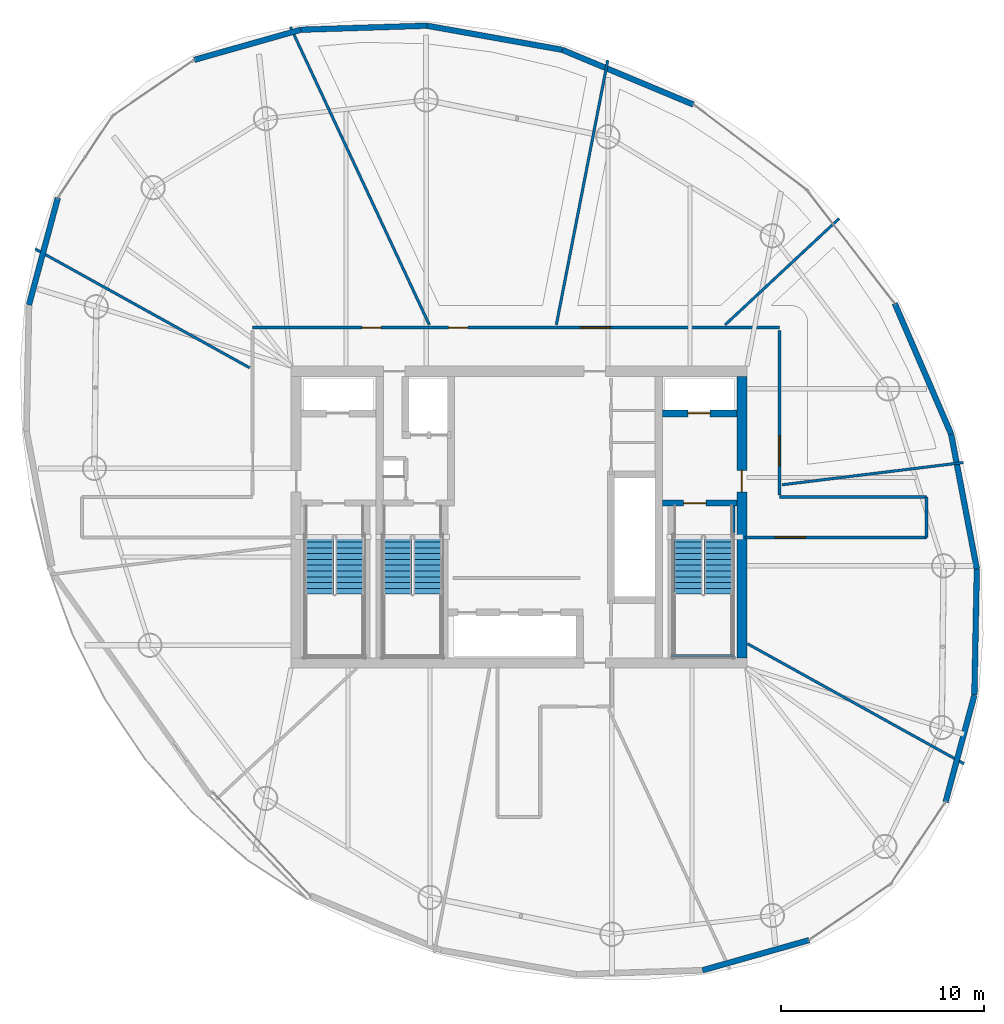
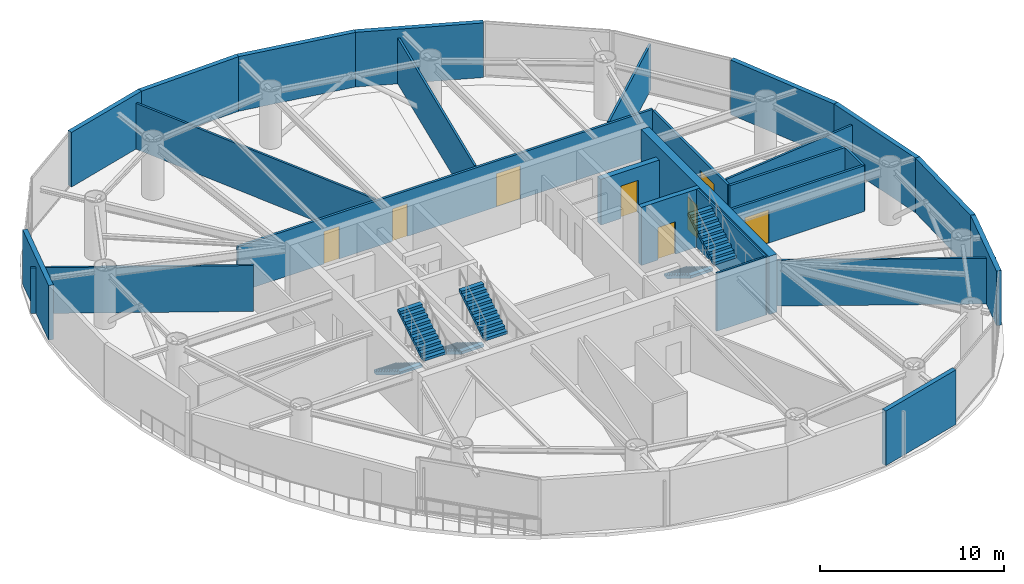
# One storey, part 13 of 16: 26 walls, 8 doors, 6 stair flights, 8 openings, 3 elements without a shape of their own.
"""IFC4 building model written with IfcOpenShell, lengths in metres."""

from ifc_helpers import new_model, si_unit, direction, frame, frame_2d, origin, place, context, subcontext, project, spatial, polyline, rectangle, outline, extrude, material, layer, layer_set, type_object, element, fill, aggregate, save


model = new_model("IFC4")

# Units and contexts
model_context = context("Model", 3, precision=1e-05, world=origin(), true_north=direction((0.0, 1.0)))
body_context = subcontext(model_context, "Body", "Model", "MODEL_VIEW")
ifc_project = project(units=[si_unit("LENGTHUNIT", "METRE"), si_unit("AREAUNIT", "SQUARE_METRE"), si_unit("VOLUMEUNIT", "CUBIC_METRE"), si_unit("PLANEANGLEUNIT", "RADIAN"), si_unit("MASSUNIT", "GRAM", prefix="KILO")], contexts=[model_context])

# Site, building, storey
site_placement = place(None, origin())
site = spatial("IfcSite", under=ifc_project, at=site_placement, CompositionType="ELEMENT")
building_placement = place(site_placement, origin())
building = spatial("IfcBuilding", under=site, at=building_placement, Name="Bramvorn Convention Spire", CompositionType="ELEMENT")
storey_placement = place(building_placement, frame((0.0, 0.0, 209.699951171875)))
storey = spatial("IfcBuildingStorey", under=building, at=storey_placement, Name="L53", CompositionType="ELEMENT", Elevation=209.699951171875)

# Wall, opening, door
ifc_material_1 = material(Name="Concrete C50/60", Category="concrete")
ifc_layer_1 = layer(ifc_material_1, 0.5)
ifc_layer_set_1 = layer_set([ifc_layer_1], Name="Concrete C50/60 - WL-CORE-500")
wall_type_1 = type_object("IfcWallType", Name="WL-CORE-500", PredefinedType="SHEAR", material=ifc_layer_set_1)
wall_1_placement = place(storey_placement, frame((49.0, 19.050048828125, 0.0), z_axis=(0.0, 0.0, 1.0), x_axis=(0.0, 1.0, 0.0)))
wall_1 = element("IfcWall", 1, at=wall_1_placement, inside=storey, type_object=wall_type_1, Name="L53 East RC core shear wall", PredefinedType="SHEAR", context=body_context, shape_type="SweptSolid", body=[
    extrude(rectangle(XDim=13.89990234375, YDim=0.5, at=frame_2d((6.949951171875, 0.0))), origin(), (0.0, 0.0, 1.0), 3.85009765625),
])
opening_1_placement = place(wall_1_placement, frame((8.199951171875, 0.0, 0.0)))
opening_1 = element("IfcOpeningElement", 2, at=opening_1_placement, cuts=wall_1, Name="Opening DL-105", PredefinedType="OPENING", context=body_context, shape_type="SweptSolid", body=[
    extrude(rectangle(XDim=1.050048828125, YDim=2.14990234375, at=frame_2d((0.52490234375, 1.074951171875))), frame((0.0, 0.260009765625, 0.0), z_axis=(0.0, -1.0, 0.0), x_axis=(1.0, 0.0, 0.0)), (0.0, 0.0, 1.0), 0.52001953125),
])
ifc_material_2 = material(Name="Smoke-Sealed Fire Lobby Timber-Core Door", Category="wood")
door_type_1 = type_object("IfcDoorType", Name="DR-LOBBY-1050", OperationType="NOTDEFINED", PredefinedType="DOOR", material=ifc_material_2)
door_1_placement = place(opening_1_placement, origin())
door_1 = element("IfcDoor", 3, at=door_1_placement, inside=storey, type_object=door_type_1, Name="L53 East Firefighting Lobby corridor door", OperationType="SINGLE_SWING_LEFT", OverallHeight=2.14990234375, OverallWidth=1.050048828125, PredefinedType="DOOR", context=body_context, shape_type="SweptSolid", body=[
    extrude(rectangle(XDim=1.050048828125, YDim=2.14990234375, at=frame_2d((0.52490234375, 1.074951171875))), frame((0.0, 0.02490234375, 0.0), z_axis=(0.0, -1.0, 0.0), x_axis=(1.0, 0.0, 0.0)), (0.0, 0.0, 1.0), 0.050048828125),
])
fill(opening_1, door_1)

ifc_layer_2 = layer(ifc_material_1, 0.35009765625)
ifc_layer_set_2 = layer_set([ifc_layer_2], Name="Concrete C50/60 - WL-CORE-INT-350")
wall_type_2 = type_object("IfcWallType", Name="WL-CORE-INT-350", PredefinedType="SHEAR", material=ifc_layer_set_2)
wall_2_placement = place(storey_placement, frame((45.080078125, 31.1201171875, 0.0), z_axis=(0.0, 0.0, 1.0), x_axis=(1.0, 0.0, 0.0)))
wall_2 = element("IfcWall", 4, at=wall_2_placement, inside=storey, type_object=wall_type_2, Name="L53 FE2 shaft front wall", PredefinedType="SHEAR", context=body_context, shape_type="SweptSolid", body=[
    extrude(rectangle(XDim=3.669921875, YDim=0.35009765625, at=frame_2d((1.8349609375, 0.0))), origin(), (0.0, 0.0, 1.0), 3.03515625),
])
opening_2_placement = place(wall_2_placement, frame((1.25, 0.0, 0.0)))
opening_2 = element("IfcOpeningElement", 5, at=opening_2_placement, cuts=wall_2, Name="Opening LD-110", PredefinedType="OPENING", context=body_context, shape_type="SweptSolid", body=[
    extrude(rectangle(XDim=1.10009765625, YDim=2.14990234375, at=frame_2d((0.550048828125, 1.074951171875))), frame((0.0, 0.18505859375, 0.0), z_axis=(0.0, -1.0, 0.0), x_axis=(1.0, 0.0, 0.0)), (0.0, 0.0, 1.0), 0.3701171875),
])
ifc_material_3 = material(Name="Firefighting & Service Lift Sliding Landing Door", Category="steel")
door_type_2 = type_object("IfcDoorType", Name="DR-LIFT-LD-1100", OperationType="NOTDEFINED", PredefinedType="DOOR", material=ifc_material_3)
door_2_placement = place(opening_2_placement, origin())
door_2 = element("IfcDoor", 6, at=door_2_placement, inside=storey, type_object=door_type_2, Name="L53 Lift FE2 Sliding Landing Door", OperationType="SLIDING_TO_LEFT", OverallHeight=2.14990234375, OverallWidth=1.10009765625, PredefinedType="DOOR", context=body_context, shape_type="SweptSolid", body=[
    extrude(rectangle(XDim=1.10009765625, YDim=2.14990234375, at=frame_2d((0.550048828125, 1.074951171875))), frame((0.0, 0.02490234375, 0.0), z_axis=(0.0, -1.0, 0.0), x_axis=(1.0, 0.0, 0.0)), (0.0, 0.0, 1.0), 0.050048828125),
])
fill(opening_2, door_2)

# Walls
ifc_material_4 = material(Name="Precast Concrete C40/50 with Bronze Terracotta Rainscreen", Category="masonry")
ifc_layer_3 = layer(ifc_material_4, 0.300048828125)
ifc_layer_set_3 = layer_set([ifc_layer_3], Name="Precast Concrete C40/50 with Bronze Terracotta Rainscreen - WL-EXT-BRONZE-300")
wall_type_3 = type_object("IfcWallType", Name="WL-EXT-BRONZE-300", PredefinedType="SOLIDWALL", material=ifc_layer_set_3)
wall_3_placement = place(storey_placement, frame((60.474853515625, 17.211181640625, 0.0), z_axis=(0.0, 0.0, 1.0), x_axis=(-0.260428483044, -0.965493140949, 0.0)))
element("IfcWall", 7, at=wall_3_placement, inside=storey, type_object=wall_type_3, Name="L53 expressed bronze Gothic lancet pier wall 02", PredefinedType="SOLIDWALL", context=body_context, shape_type="SweptSolid", body=[
    extrude(rectangle(XDim=5.46435546875, YDim=0.280029296875, at=frame_2d((2.732177734375, 0.0))), origin(), (0.0, 0.0, 1.0), 3.6201171875),
])
wall_4_placement = place(storey_placement, frame((60.59765625, 23.4365234375, 0.0), z_axis=(0.0, 0.0, 1.0), x_axis=(-0.019722426899, -0.999805494022, 0.0)))
element("IfcWall", 8, at=wall_4_placement, inside=storey, type_object=wall_type_3, Name="L53 expressed bronze Gothic lancet pier wall 03", PredefinedType="SOLIDWALL", context=body_context, shape_type="SweptSolid", body=[
    extrude(rectangle(XDim=6.2265625, YDim=0.280029296875, at=frame_2d((3.11328125, 0.0))), origin(), (0.0, 0.0, 1.0), 3.6201171875),
])
wall_5_placement = place(storey_placement, frame((59.32666015625, 30.100830078125, 0.0), z_axis=(0.0, 0.0, 1.0), x_axis=(0.187340299472, -0.982295073893, 0.0)))
element("IfcWall", 9, at=wall_5_placement, inside=storey, type_object=wall_type_3, Name="L53 expressed bronze Gothic lancet pier wall 04", PredefinedType="SOLIDWALL", context=body_context, shape_type="SweptSolid", body=[
    extrude(rectangle(XDim=6.784423828125, YDim=0.280029296875, at=frame_2d((3.39208984375, 0.0))), origin(), (0.0, 0.0, 1.0), 3.6201171875),
])
for number, where, z_axis, x_axis, name in (
    (10, (56.544189453125, 36.543212890625, 0.0), (0.0, 0.0, 1.0), (0.396499991111, -0.918034725405, 0.0), "L53 expressed bronze Gothic lancet pier wall 05"),
    (11, (40.1328125, 49.061767578125, 0.0), (0.0, 0.0, 1.0), (0.922805990823, -0.385264978035, 0.0), "L53 expressed bronze Gothic lancet pier wall 08"),
):
    element("IfcWall", number, at=place(storey_placement, frame(where, z_axis=z_axis, x_axis=x_axis)), inside=storey, type_object=wall_type_3, Name=name, PredefinedType="SOLIDWALL", context=body_context, shape_type="SweptSolid", body=[
        extrude(rectangle(XDim=7.017578125, YDim=0.280029296875, at=frame_2d((3.5087890625, 0.0))), origin(), (0.0, 0.0, 1.0), 3.6201171875),
    ])
wall_6_placement = place(storey_placement, frame((33.453125, 50.251220703125, 0.0), z_axis=(0.0, 0.0, 1.0), x_axis=(0.98451285937, -0.175312377589, 0.0)))
element("IfcWall", 12, at=wall_6_placement, inside=storey, type_object=wall_type_3, Name="L53 expressed bronze Gothic lancet pier wall 09", PredefinedType="SOLIDWALL", context=body_context, shape_type="SweptSolid", body=[
    extrude(rectangle(XDim=6.78466796875, YDim=0.280029296875, at=frame_2d((3.392333984375, 0.0))), origin(), (0.0, 0.0, 1.0), 3.6201171875),
])
wall_7_placement = place(storey_placement, frame((27.22998046875, 50.052490234375, 0.0), z_axis=(0.0, 0.0, 1.0), x_axis=(0.999490496546, 0.031917821271, 0.0)))
element("IfcWall", 13, at=wall_7_placement, inside=storey, type_object=wall_type_3, Name="L53 expressed bronze Gothic lancet pier wall 10", PredefinedType="SOLIDWALL", context=body_context, shape_type="SweptSolid", body=[
    extrude(rectangle(XDim=6.226318359375, YDim=0.280029296875, at=frame_2d((3.11328125, 0.0))), origin(), (0.0, 0.0, 1.0), 3.6201171875),
])
wall_8_placement = place(storey_placement, frame((21.971923828125, 48.56494140625, 0.0), z_axis=(0.0, 0.0, 1.0), x_axis=(0.962233872623, 0.272224125268, 0.0)))
element("IfcWall", 14, at=wall_8_placement, inside=storey, type_object=wall_type_3, Name="L53 expressed bronze Gothic lancet pier wall 11", PredefinedType="SOLIDWALL", context=body_context, shape_type="SweptSolid", body=[
    extrude(rectangle(XDim=5.46435546875, YDim=0.280029296875, at=frame_2d((2.732177734375, 0.0))), origin(), (0.0, 0.0, 1.0), 3.6201171875),
])
for number, where, z_axis, x_axis, name in (
    (15, (13.817626953125, 36.475341796875, 0.0), (0.0, 0.0, 1.0), (0.260470130189, 0.965481906241, 0.0), "L53 expressed bronze Gothic lancet pier wall 14"),
    (16, (52.32080078125, 5.12158203125, 0.0), (0.0, 0.0, 1.0), (-0.962248884764, -0.272171056086, 0.0), "L53 expressed bronze Gothic lancet pier wall 23"),
):
    element("IfcWall", number, at=place(storey_placement, frame(where, z_axis=z_axis, x_axis=x_axis)), inside=storey, type_object=wall_type_3, Name=name, PredefinedType="SOLIDWALL", context=body_context, shape_type="SweptSolid", body=[
        extrude(rectangle(XDim=5.464599609375, YDim=0.280029296875, at=frame_2d((2.732421875, 0.0))), origin(), (0.0, 0.0, 1.0), 3.6201171875),
    ])
ifc_material_5 = material(Name="Metal-Stud Demountable Office Partition", Category="gypsum")
ifc_layer_4 = layer(ifc_material_5, 0.1298828125)
ifc_layer_set_4 = layer_set([ifc_layer_4], Name="Metal-Stud Demountable Office Partition - WL-PART-130")
wall_type_4 = type_object("IfcWallType", Name="WL-PART-130", PredefinedType="PARTITIONING", material=ifc_layer_set_4)
wall_9_placement = place(storey_placement, frame((50.989990234375, 27.594970703125, 0.0), z_axis=(0.0, 0.0, 1.0), x_axis=(0.992545238003, 0.121876784159, 0.0)))
element("IfcWall", 17, at=wall_9_placement, inside=storey, type_object=wall_type_4, Name="L53 Tenant suite partition 1", PredefinedType="PARTITIONING", context=body_context, shape_type="SweptSolid", body=[
    extrude(rectangle(XDim=9.01025390625, YDim=0.1298828125, at=frame_2d((4.505126953125, 0.0))), origin(), (0.0, 0.0, 1.0), 3.03515625),
])
wall_10_placement = place(storey_placement, frame((48.1767578125, 35.489990234375, 0.0), z_axis=(0.0, 0.0, 1.0), x_axis=(0.731351379183, 0.682000850562, 0.0)))
element("IfcWall", 18, at=wall_10_placement, inside=storey, type_object=wall_type_4, Name="L53 Tenant suite partition 2", PredefinedType="PARTITIONING", context=body_context, shape_type="SweptSolid", body=[
    extrude(rectangle(XDim=7.70263671875, YDim=0.1298828125, at=frame_2d((3.851318359375, 0.0))), origin(), (0.0, 0.0, 1.0), 3.03515625),
])
wall_11_placement = place(storey_placement, frame((39.8447265625, 35.489990234375, 0.0), z_axis=(0.0, 0.0, 1.0), x_axis=(0.190812682299, 0.981626466775, 0.0)))
element("IfcWall", 19, at=wall_11_placement, inside=storey, type_object=wall_type_4, Name="L53 Tenant suite partition 3", PredefinedType="PARTITIONING", context=body_context, shape_type="SweptSolid", body=[
    extrude(rectangle(XDim=13.303955078125, YDim=0.1298828125, at=frame_2d((6.65185546875, 0.0))), origin(), (0.0, 0.0, 1.0), 3.03515625),
])
wall_12_placement = place(storey_placement, frame((33.57470703125, 35.489990234375, 0.0), z_axis=(0.0, 0.0, 1.0), x_axis=(-0.422617745277, 0.906308027868, 0.0)))
element("IfcWall", 20, at=wall_12_placement, inside=storey, type_object=wall_type_4, Name="L53 Tenant suite partition 4", PredefinedType="PARTITIONING", context=body_context, shape_type="SweptSolid", body=[
    extrude(rectangle(XDim=16.22607421875, YDim=0.1298828125, at=frame_2d((8.113037109375, 0.0))), origin(), (0.0, 0.0, 1.0), 3.03515625),
])
wall_13_placement = place(storey_placement, frame((24.7099609375, 33.36669921875, 0.0), z_axis=(0.0, 0.0, 1.0), x_axis=(-0.874611459902, 0.484824498357, 0.0)))
element("IfcWall", 21, at=wall_13_placement, inside=storey, type_object=wall_type_4, Name="L53 Tenant suite partition 5", PredefinedType="PARTITIONING", context=body_context, shape_type="SweptSolid", body=[
    extrude(rectangle(XDim=12.109619140625, YDim=0.1298828125, at=frame_2d((6.0546875, 0.0))), origin(), (0.0, 0.0, 1.0), 3.03515625),
])
wall_14_placement = place(storey_placement, frame((49.27001953125, 19.7529296875, 0.0), z_axis=(0.0, 0.0, 1.0), x_axis=(0.874615259577, -0.484817643775, 0.0)))
element("IfcWall", 22, at=wall_14_placement, inside=storey, type_object=wall_type_4, Name="L53 Tenant suite partition 10", PredefinedType="PARTITIONING", context=body_context, shape_type="SweptSolid", body=[
    extrude(rectangle(XDim=12.2353515625, YDim=0.1298828125, at=frame_2d((6.11767578125, 0.0))), origin(), (0.0, 0.0, 1.0), 3.03515625),
])

# Wall, openings, doors
ifc_material_6 = material(Name="Acoustic Metal-Stud Tenant/Corridor Partition", Category="gypsum")
ifc_layer_5 = layer(ifc_material_6, 0.14990234375)
ifc_layer_set_5 = layer_set([ifc_layer_5], Name="Acoustic Metal-Stud Tenant/Corridor Partition - WL-PART-150")
wall_type_5 = type_object("IfcWallType", Name="WL-PART-150", PredefinedType="PARTITIONING", material=ifc_layer_set_5)
wall_15_placement = place(storey_placement, frame((24.85009765625, 35.35009765625, 0.0), z_axis=(0.0, 0.0, 1.0), x_axis=(1.0, 0.0, 0.0)))
wall_15 = element("IfcWall", 23, at=wall_15_placement, inside=storey, type_object=wall_type_5, Name="L53 North gallery wall", PredefinedType="PARTITIONING", context=body_context, shape_type="SweptSolid", body=[
    extrude(rectangle(XDim=26.0, YDim=0.14990234375, at=frame_2d((13.0, 0.0))), origin(), (0.0, 0.0, 1.0), 3.03515625),
])
opening_3_placement = place(wall_15_placement, frame((16.18212890625, 0.0, 0.0)))
opening_3 = element("IfcOpeningElement", 24, at=opening_3_placement, cuts=wall_15, Name="Opening DC-150", PredefinedType="OPENING", context=body_context, shape_type="SweptSolid", body=[
    extrude(rectangle(XDim=1.5, YDim=2.199951171875, at=frame_2d((0.75, 1.10009765625))), frame((0.0, 0.0849609375, 0.0), z_axis=(0.0, -1.0, 0.0), x_axis=(1.0, 0.0, 0.0)), (0.0, 0.0, 1.0), 0.169921875),
])
opening_4_placement = place(wall_15_placement, frame((9.674560546875, 0.0, 0.0)))
opening_4 = element("IfcOpeningElement", 25, at=opening_4_placement, cuts=wall_15, Name="Opening DH-095", PredefinedType="OPENING", context=body_context, shape_type="SweptSolid", body=[
    extrude(rectangle(XDim=0.949951171875, YDim=2.14990234375, at=frame_2d((0.47509765625, 1.074951171875))), frame((0.0, 0.0849609375, 0.0), z_axis=(0.0, -1.0, 0.0), x_axis=(1.0, 0.0, 0.0)), (0.0, 0.0, 1.0), 0.169921875),
])
opening_5_placement = place(wall_15_placement, frame((5.394775390625, 0.0, 0.0)))
opening_5 = element("IfcOpeningElement", 26, at=opening_5_placement, cuts=wall_15, Name="Opening DH-095", PredefinedType="OPENING", context=body_context, shape_type="SweptSolid", body=[
    extrude(rectangle(XDim=0.949951171875, YDim=2.14990234375, at=frame_2d((0.47509765625, 1.074951171875))), frame((0.0, 0.0849609375, 0.0), z_axis=(0.0, -1.0, 0.0), x_axis=(1.0, 0.0, 0.0)), (0.0, 0.0, 1.0), 0.169921875),
])
ifc_material_7 = material(Name="Double-Leaf Smoke-Control Corridor Door", Category="wood")
door_type_3 = type_object("IfcDoorType", Name="DR-COR-1500", OperationType="NOTDEFINED", PredefinedType="DOOR", material=ifc_material_7)
door_3_placement = place(opening_3_placement, origin())
door_3 = element("IfcDoor", 27, at=door_3_placement, inside=storey, type_object=door_type_3, Name="L53 Design Office Studio B 2 door", OperationType="DOUBLE_DOOR_SINGLE_SWING", OverallHeight=2.199951171875, OverallWidth=1.5, PredefinedType="DOOR", context=body_context, shape_type="SweptSolid", body=[
    extrude(rectangle(XDim=1.5, YDim=2.199951171875, at=frame_2d((0.75, 1.10009765625))), frame((0.0, 0.02490234375, 0.0), z_axis=(0.0, -1.0, 0.0), x_axis=(1.0, 0.0, 0.0)), (0.0, 0.0, 1.0), 0.050048828125),
])
fill(opening_3, door_3)
ifc_material_8 = material(Name="Solid-Core Acoustic Guestroom Entry Door", Category="wood")
door_type_4 = type_object("IfcDoorType", Name="DR-HOTEL-950", OperationType="NOTDEFINED", PredefinedType="DOOR", material=ifc_material_8)
door_4_placement = place(opening_4_placement, origin())
door_4 = element("IfcDoor", 28, at=door_4_placement, inside=storey, type_object=door_type_4, Name="L53 Client Meeting Pin-Up Room 1 3 door", OperationType="SINGLE_SWING_LEFT", OverallHeight=2.14990234375, OverallWidth=0.949951171875, PredefinedType="DOOR", context=body_context, shape_type="SweptSolid", body=[
    extrude(rectangle(XDim=0.949951171875, YDim=2.14990234375, at=frame_2d((0.47509765625, 1.074951171875))), frame((0.0, 0.02490234375, 0.0), z_axis=(0.0, -1.0, 0.0), x_axis=(1.0, 0.0, 0.0)), (0.0, 0.0, 1.0), 0.050048828125),
])
fill(opening_4, door_4)
door_5_placement = place(opening_5_placement, origin())
door_5 = element("IfcDoor", 29, at=door_5_placement, inside=storey, type_object=door_type_4, Name="L53 Client Meeting Pin-Up Room 2 4 door", OperationType="SINGLE_SWING_LEFT", OverallHeight=2.14990234375, OverallWidth=0.949951171875, PredefinedType="DOOR", context=body_context, shape_type="SweptSolid", body=[
    extrude(rectangle(XDim=0.949951171875, YDim=2.14990234375, at=frame_2d((0.47509765625, 1.074951171875))), frame((0.0, 0.02490234375, 0.0), z_axis=(0.0, -1.0, 0.0), x_axis=(1.0, 0.0, 0.0)), (0.0, 0.0, 1.0), 0.050048828125),
])
fill(opening_5, door_5)

# Wall, opening, door
wall_16_placement = place(storey_placement, frame((50.85009765625, 27.080078125, 0.0), z_axis=(0.0, 0.0, 1.0), x_axis=(0.0, 1.0, 0.0)))
wall_16 = element("IfcWall", 30, at=wall_16_placement, inside=storey, type_object=wall_type_5, Name="L53 NE gallery cheek", PredefinedType="PARTITIONING", context=body_context, shape_type="SweptSolid", body=[
    extrude(rectangle(XDim=8.119873046875, YDim=0.14990234375, at=frame_2d((4.06005859375, 0.0))), origin(), (0.0, 0.0, 1.0), 3.03515625),
])
opening_6_placement = place(wall_16_placement, frame((1.44189453125, 0.0, 0.0)))
opening_6 = element("IfcOpeningElement", 31, at=opening_6_placement, cuts=wall_16, Name="Opening DC-150", PredefinedType="OPENING", context=body_context, shape_type="SweptSolid", body=[
    extrude(rectangle(XDim=1.5, YDim=2.199951171875, at=frame_2d((0.75, 1.10009765625))), frame((0.0, 0.0849609375, 0.0), z_axis=(0.0, -1.0, 0.0), x_axis=(1.0, 0.0, 0.0)), (0.0, 0.0, 1.0), 0.169921875),
])
door_6_placement = place(opening_6_placement, origin())
door_6 = element("IfcDoor", 32, at=door_6_placement, inside=storey, type_object=door_type_3, Name="L53 Design Office Studio A 1 door", OperationType="DOUBLE_DOOR_SINGLE_SWING", OverallHeight=2.199951171875, OverallWidth=1.5, PredefinedType="DOOR", context=body_context, shape_type="SweptSolid", body=[
    extrude(rectangle(XDim=1.5, YDim=2.199951171875, at=frame_2d((0.75, 1.10009765625))), frame((0.0, 0.02490234375, 0.0), z_axis=(0.0, -1.0, 0.0), x_axis=(1.0, 0.0, 0.0)), (0.0, 0.0, 1.0), 0.050048828125),
])
fill(opening_6, door_6)

# Wall
wall_17_placement = place(storey_placement, frame((50.85009765625, 27.0, 0.0), z_axis=(0.0, 0.0, 1.0), x_axis=(1.0, 0.0, 0.0)))
element("IfcWall", 33, at=wall_17_placement, inside=storey, type_object=wall_type_5, Name="L53 East wing spine north wall", PredefinedType="PARTITIONING", context=body_context, shape_type="SweptSolid", body=[
    extrude(rectangle(XDim=7.27294921875, YDim=0.14990234375, at=frame_2d((3.636474609375, 0.0))), origin(), (0.0, 0.0, 1.0), 3.03515625),
])

# Wall, opening, door
wall_18_placement = place(storey_placement, frame((49.14990234375, 25.0, 0.0), z_axis=(0.0, 0.0, 1.0), x_axis=(1.0, 0.0, 0.0)))
wall_18 = element("IfcWall", 34, at=wall_18_placement, inside=storey, type_object=wall_type_5, Name="L53 East wing spine south wall", PredefinedType="PARTITIONING", context=body_context, shape_type="SweptSolid", body=[
    extrude(rectangle(XDim=8.97314453125, YDim=0.14990234375, at=frame_2d((4.486572265625, 0.0))), origin(), (0.0, 0.0, 1.0), 3.03515625),
])
opening_7_placement = place(wall_18_placement, frame((1.4931640625, 0.0, 0.0)))
opening_7 = element("IfcOpeningElement", 35, at=opening_7_placement, cuts=wall_18, Name="Opening DC-150", PredefinedType="OPENING", context=body_context, shape_type="SweptSolid", body=[
    extrude(rectangle(XDim=1.5, YDim=2.199951171875, at=frame_2d((0.75, 1.10009765625))), frame((0.0, 0.0849609375, 0.0), z_axis=(0.0, -1.0, 0.0), x_axis=(1.0, 0.0, 0.0)), (0.0, 0.0, 1.0), 0.169921875),
])
door_7_placement = place(opening_7_placement, origin())
door_7 = element("IfcDoor", 36, at=door_7_placement, inside=storey, type_object=door_type_3, Name="L53 Design Office Studio B 10 door", OperationType="DOUBLE_DOOR_SINGLE_SWING", OverallHeight=2.199951171875, OverallWidth=1.5, PredefinedType="DOOR", context=body_context, shape_type="SweptSolid", body=[
    extrude(rectangle(XDim=1.5, YDim=2.199951171875, at=frame_2d((0.75, 1.10009765625))), frame((0.0, 0.02490234375, 0.0), z_axis=(0.0, -1.0, 0.0), x_axis=(1.0, 0.0, 0.0)), (0.0, 0.0, 1.0), 0.050048828125),
])
fill(opening_7, door_7)

# Wall
wall_19_placement = place(storey_placement, frame((58.123046875, 25.0, 0.0), z_axis=(0.0, 0.0, 1.0), x_axis=(0.0, 1.0, 0.0)))
element("IfcWall", 37, at=wall_19_placement, inside=storey, type_object=wall_type_5, Name="L53 East wing spine end wall", PredefinedType="PARTITIONING", context=body_context, shape_type="SweptSolid", body=[
    extrude(rectangle(XDim=2.0, YDim=0.14990234375, at=frame_2d((1.0, 0.0))), origin(), (0.0, 0.0, 1.0), 3.03515625),
])

# Wall, opening, door
ifc_layer_6 = layer(ifc_material_1, 0.300048828125)
ifc_layer_set_6 = layer_set([ifc_layer_6], Name="Concrete C50/60 - WL-POD-STAIR-300")
wall_type_6 = type_object("IfcWallType", Name="WL-POD-STAIR-300", PredefinedType="SHEAR", material=ifc_layer_set_6)
wall_20_placement = place(storey_placement, frame((45.080078125, 26.68994140625, 0.0), z_axis=(0.0, 0.0, 1.0), x_axis=(1.0, 0.0, 0.0)))
wall_20 = element("IfcWall", 38, at=wall_20_placement, inside=storey, type_object=wall_type_6, Name="L53 ST2 north fire wall", PredefinedType="SHEAR", context=body_context, shape_type="SweptSolid", body=[
    extrude(rectangle(XDim=3.669921875, YDim=0.300048828125, at=frame_2d((1.8349609375, 0.0))), origin(), (0.0, 0.0, 1.0), 3.85009765625),
])
opening_8_placement = place(wall_20_placement, frame((1.050048828125, 0.0, 0.0)))
opening_8 = element("IfcOpeningElement", 39, at=opening_8_placement, cuts=wall_20, Name="Opening DS-110", PredefinedType="OPENING", context=body_context, shape_type="SweptSolid", body=[
    extrude(rectangle(XDim=1.10009765625, YDim=2.14990234375, at=frame_2d((0.550048828125, 1.074951171875))), frame((0.0, 0.159912109375, 0.0), z_axis=(0.0, -1.0, 0.0), x_axis=(1.0, 0.0, 0.0)), (0.0, 0.0, 1.0), 0.320068359375),
])
ifc_material_9 = material(Name="Fire-Rated Hollow Steel Stairwell Door", Category="steel")
door_type_5 = type_object("IfcDoorType", Name="DR-STAIR-1100", OperationType="NOTDEFINED", PredefinedType="DOOR", material=ifc_material_9)
door_8_placement = place(opening_8_placement, origin())
door_8 = element("IfcDoor", 40, at=door_8_placement, inside=storey, type_object=door_type_5, Name="L53 Stair ST2 fire door", OperationType="SINGLE_SWING_RIGHT", OverallHeight=2.14990234375, OverallWidth=1.10009765625, PredefinedType="DOOR", context=body_context, shape_type="SweptSolid", body=[
    extrude(rectangle(XDim=1.10009765625, YDim=2.14990234375, at=frame_2d((0.550048828125, 1.074951171875))), frame((0.0, 0.02490234375, 0.0), z_axis=(0.0, -1.0, 0.0), x_axis=(1.0, 0.0, 0.0)), (0.0, 0.0, 1.0), 0.050048828125),
])
fill(opening_8, door_8)

# Walls
ifc_layer_7 = layer(ifc_material_1, 0.1201171875)
ifc_layer_set_7 = layer_set([ifc_layer_7], Name="Concrete C50/60 - WL-STAIR-RC-120")
wall_type_7 = type_object("IfcWallType", Name="WL-STAIR-RC-120", PredefinedType="SHEAR", material=ifc_layer_set_7)
wall_21_placement = place(storey_placement, frame((48.60498046875, 19.10009765625, 0.0), z_axis=(0.0, 0.0, 1.0), x_axis=(0.0, 1.0, 0.0)))
element("IfcWall", 41, at=wall_21_placement, inside=storey, type_object=wall_type_7, Name="L53 ST2 east bearing shear wall", PredefinedType="SHEAR", context=body_context, shape_type="SweptSolid", body=[
    extrude(rectangle(XDim=7.449951171875, YDim=0.1201171875, at=frame_2d((3.72509765625, 0.0))), origin(), (0.0, 0.0, 1.0), 3.85009765625),
])
wall_22_placement = place(storey_placement, frame((45.510009765625, 19.159912109375, 0.0), z_axis=(0.0, 0.0, 1.0), x_axis=(1.0, 0.0, 0.0)))
element("IfcWall", 42, at=wall_22_placement, inside=storey, type_object=wall_type_7, Name="L53 ST2 south bearing shear wall", PredefinedType="SHEAR", context=body_context, shape_type="SweptSolid", body=[
    extrude(rectangle(XDim=3.094970703125, YDim=0.1201171875, at=frame_2d((1.54736328125, 0.0))), origin(), (0.0, 0.0, 1.0), 3.85009765625),
])

# Stair, stair flights
ifc_material_10 = material(Name="Concrete C40/50 Precast Stair", Category="concrete")
stair_type = type_object("IfcStairType", Name="ST-TOWER-1550", PredefinedType="HALF_TURN_STAIR", material=ifc_material_10)
stair_1_placement = place(storey_placement, origin())
stair_1 = element("IfcStair", 43, at=stair_1_placement, inside=storey, type_object=stair_type, Name="L53 Protected Exit Stair ST1", PredefinedType="HALF_TURN_STAIR")
ifc_material_11 = material(Name="Concrete C40/50 Precast Stair Flight", Category="concrete")
stair_flight_type = type_object("IfcStairFlightType", Name="STF-TOWER-1550", PredefinedType="STRAIGHT", material=ifc_material_11)
stair_flight_1_placement = place(storey_placement, frame((28.155029296875, 25.050048828125, 0.0), z_axis=(0.0, 0.0, 1.0), x_axis=(0.0, -1.0, 0.0)))
stair_flight_1 = element("IfcStairFlight", 44, at=stair_flight_1_placement, type_object=stair_flight_type, Name="ST1 flight 1", NumberOfRisers=11, NumberOfTreads=10, PredefinedType="STRAIGHT", RiserHeight=0.175, TreadLength=0.285, context=body_context, shape_type="SweptSolid", body=[
    extrude(outline(polyline([(0.0, 0.0), (0.0, 0.175048828125), (0.284912109375, 0.175048828125), (0.284912109375, 0.35009765625), (0.570068359375, 0.35009765625), (0.570068359375, 0.52490234375), (0.85498046875, 0.52490234375), (0.85498046875, 0.699951171875), (1.139892578125, 0.699951171875), (1.139892578125, 0.875), (1.425048828125, 0.875), (1.425048828125, 1.050048828125), (1.7099609375, 1.050048828125), (1.7099609375, 1.22509765625), (1.9951171875, 1.22509765625), (1.9951171875, 1.39990234375), (2.280029296875, 1.39990234375), (2.280029296875, 1.574951171875), (2.56494140625, 1.574951171875), (2.56494140625, 1.75), (2.85009765625, 1.75), (2.85009765625, 1.925048828125), (2.85009765625, 1.573974609375), (0.286376953125, 0.0), (0.0, 0.0)])), frame((0.0, 0.705078125, 0.0), z_axis=(0.0, -1.0, 0.0), x_axis=(1.0, 0.0, 0.0)), (0.0, 0.0, 1.0), 1.409912109375),
])
stair_flight_2_placement = place(storey_placement, frame((29.64501953125, 22.199951171875, 1.925048828125), z_axis=(0.0, 0.0, 1.0), x_axis=(0.0, 1.0, 0.0)))
stair_flight_2 = element("IfcStairFlight", 45, at=stair_flight_2_placement, type_object=stair_flight_type, Name="ST1 flight 2", NumberOfRisers=11, NumberOfTreads=10, PredefinedType="STRAIGHT", RiserHeight=0.175, TreadLength=0.285, context=body_context, shape_type="SweptSolid", body=[
    extrude(outline(polyline([(0.0, 0.0), (0.0, 0.175048828125), (0.284912109375, 0.175048828125), (0.284912109375, 0.35009765625), (0.570068359375, 0.35009765625), (0.570068359375, 0.52490234375), (0.85498046875, 0.52490234375), (0.85498046875, 0.699951171875), (1.139892578125, 0.699951171875), (1.139892578125, 0.875), (1.425048828125, 0.875), (1.425048828125, 1.050048828125), (1.7099609375, 1.050048828125), (1.7099609375, 1.22509765625), (1.9951171875, 1.22509765625), (1.9951171875, 1.39990234375), (2.280029296875, 1.39990234375), (2.280029296875, 1.574951171875), (2.56494140625, 1.574951171875), (2.56494140625, 1.75), (2.85009765625, 1.75), (2.85009765625, 1.925048828125), (2.85009765625, 1.573974609375), (0.286376953125, 0.0), (0.0, 0.0)])), frame((0.0, 0.705078125, 0.0), z_axis=(0.0, -1.0, 0.0), x_axis=(1.0, 0.0, 0.0)), (0.0, 0.0, 1.0), 1.409912109375),
])
aggregate(stair_1, [stair_flight_1, stair_flight_2])

stair_2_placement = place(storey_placement, origin())
stair_2 = element("IfcStair", 46, at=stair_2_placement, inside=storey, type_object=stair_type, Name="L53 Protected Exit Stair ST2", PredefinedType="HALF_TURN_STAIR")
stair_flight_3_placement = place(storey_placement, frame((46.35498046875, 25.050048828125, 0.0), z_axis=(0.0, 0.0, 1.0), x_axis=(0.0, -1.0, 0.0)))
stair_flight_3 = element("IfcStairFlight", 47, at=stair_flight_3_placement, type_object=stair_flight_type, Name="ST2 flight 1", NumberOfRisers=11, NumberOfTreads=10, PredefinedType="STRAIGHT", RiserHeight=0.175, TreadLength=0.285, context=body_context, shape_type="SweptSolid", body=[
    extrude(outline(polyline([(0.0, 0.0), (0.0, 0.175048828125), (0.284912109375, 0.175048828125), (0.284912109375, 0.35009765625), (0.570068359375, 0.35009765625), (0.570068359375, 0.52490234375), (0.85498046875, 0.52490234375), (0.85498046875, 0.699951171875), (1.139892578125, 0.699951171875), (1.139892578125, 0.875), (1.425048828125, 0.875), (1.425048828125, 1.050048828125), (1.7099609375, 1.050048828125), (1.7099609375, 1.22509765625), (1.9951171875, 1.22509765625), (1.9951171875, 1.39990234375), (2.280029296875, 1.39990234375), (2.280029296875, 1.574951171875), (2.56494140625, 1.574951171875), (2.56494140625, 1.75), (2.85009765625, 1.75), (2.85009765625, 1.925048828125), (2.85009765625, 1.573974609375), (0.286376953125, 0.0), (0.0, 0.0)])), frame((0.0, 0.705078125, 0.0), z_axis=(0.0, -1.0, 0.0), x_axis=(1.0, 0.0, 0.0)), (0.0, 0.0, 1.0), 1.409912109375),
])
stair_flight_4_placement = place(storey_placement, frame((47.844970703125, 22.199951171875, 1.925048828125), z_axis=(0.0, 0.0, 1.0), x_axis=(0.0, 1.0, 0.0)))
stair_flight_4 = element("IfcStairFlight", 48, at=stair_flight_4_placement, type_object=stair_flight_type, Name="ST2 flight 2", NumberOfRisers=11, NumberOfTreads=10, PredefinedType="STRAIGHT", RiserHeight=0.175, TreadLength=0.285, context=body_context, shape_type="SweptSolid", body=[
    extrude(outline(polyline([(0.0, 0.0), (0.0, 0.175048828125), (0.284912109375, 0.175048828125), (0.284912109375, 0.35009765625), (0.570068359375, 0.35009765625), (0.570068359375, 0.52490234375), (0.85498046875, 0.52490234375), (0.85498046875, 0.699951171875), (1.139892578125, 0.699951171875), (1.139892578125, 0.875), (1.425048828125, 0.875), (1.425048828125, 1.050048828125), (1.7099609375, 1.050048828125), (1.7099609375, 1.22509765625), (1.9951171875, 1.22509765625), (1.9951171875, 1.39990234375), (2.280029296875, 1.39990234375), (2.280029296875, 1.574951171875), (2.56494140625, 1.574951171875), (2.56494140625, 1.75), (2.85009765625, 1.75), (2.85009765625, 1.925048828125), (2.85009765625, 1.573974609375), (0.286376953125, 0.0), (0.0, 0.0)])), frame((0.0, 0.705078125, 0.0), z_axis=(0.0, -1.0, 0.0), x_axis=(1.0, 0.0, 0.0)), (0.0, 0.0, 1.0), 1.409912109375),
])
aggregate(stair_2, [stair_flight_3, stair_flight_4])

stair_3_placement = place(storey_placement, origin())
stair_3 = element("IfcStair", 49, at=stair_3_placement, inside=storey, type_object=stair_type, Name="L53 Protected Exit Stair ST3", PredefinedType="HALF_TURN_STAIR")
stair_flight_5_placement = place(storey_placement, frame((32.0048828125, 25.050048828125, 0.0), z_axis=(0.0, 0.0, 1.0), x_axis=(0.0, -1.0, 0.0)))
stair_flight_5 = element("IfcStairFlight", 50, at=stair_flight_5_placement, type_object=stair_flight_type, Name="ST3 flight 1", NumberOfRisers=11, NumberOfTreads=10, PredefinedType="STRAIGHT", RiserHeight=0.175, TreadLength=0.285, context=body_context, shape_type="SweptSolid", body=[
    extrude(outline(polyline([(0.0, 0.0), (0.0, 0.175048828125), (0.284912109375, 0.175048828125), (0.284912109375, 0.35009765625), (0.570068359375, 0.35009765625), (0.570068359375, 0.52490234375), (0.85498046875, 0.52490234375), (0.85498046875, 0.699951171875), (1.139892578125, 0.699951171875), (1.139892578125, 0.875), (1.425048828125, 0.875), (1.425048828125, 1.050048828125), (1.7099609375, 1.050048828125), (1.7099609375, 1.22509765625), (1.9951171875, 1.22509765625), (1.9951171875, 1.39990234375), (2.280029296875, 1.39990234375), (2.280029296875, 1.574951171875), (2.56494140625, 1.574951171875), (2.56494140625, 1.75), (2.85009765625, 1.75), (2.85009765625, 1.925048828125), (2.85009765625, 1.573974609375), (0.286376953125, 0.0), (0.0, 0.0)])), frame((0.0, 0.705078125, 0.0), z_axis=(0.0, -1.0, 0.0), x_axis=(1.0, 0.0, 0.0)), (0.0, 0.0, 1.0), 1.409912109375),
])
stair_flight_6_placement = place(storey_placement, frame((33.4951171875, 22.199951171875, 1.925048828125), z_axis=(0.0, 0.0, 1.0), x_axis=(0.0, 1.0, 0.0)))
stair_flight_6 = element("IfcStairFlight", 51, at=stair_flight_6_placement, type_object=stair_flight_type, Name="ST3 flight 2", NumberOfRisers=11, NumberOfTreads=10, PredefinedType="STRAIGHT", RiserHeight=0.175, TreadLength=0.285, context=body_context, shape_type="SweptSolid", body=[
    extrude(outline(polyline([(0.0, 0.0), (0.0, 0.175048828125), (0.284912109375, 0.175048828125), (0.284912109375, 0.35009765625), (0.570068359375, 0.35009765625), (0.570068359375, 0.52490234375), (0.85498046875, 0.52490234375), (0.85498046875, 0.699951171875), (1.139892578125, 0.699951171875), (1.139892578125, 0.875), (1.425048828125, 0.875), (1.425048828125, 1.050048828125), (1.7099609375, 1.050048828125), (1.7099609375, 1.22509765625), (1.9951171875, 1.22509765625), (1.9951171875, 1.39990234375), (2.280029296875, 1.39990234375), (2.280029296875, 1.574951171875), (2.56494140625, 1.574951171875), (2.56494140625, 1.75), (2.85009765625, 1.75), (2.85009765625, 1.925048828125), (2.85009765625, 1.573974609375), (0.286376953125, 0.0), (0.0, 0.0)])), frame((0.0, 0.705078125, 0.0), z_axis=(0.0, -1.0, 0.0), x_axis=(1.0, 0.0, 0.0)), (0.0, 0.0, 1.0), 1.409912109375),
])
aggregate(stair_3, [stair_flight_5, stair_flight_6])

save(model, "model.ifc")
